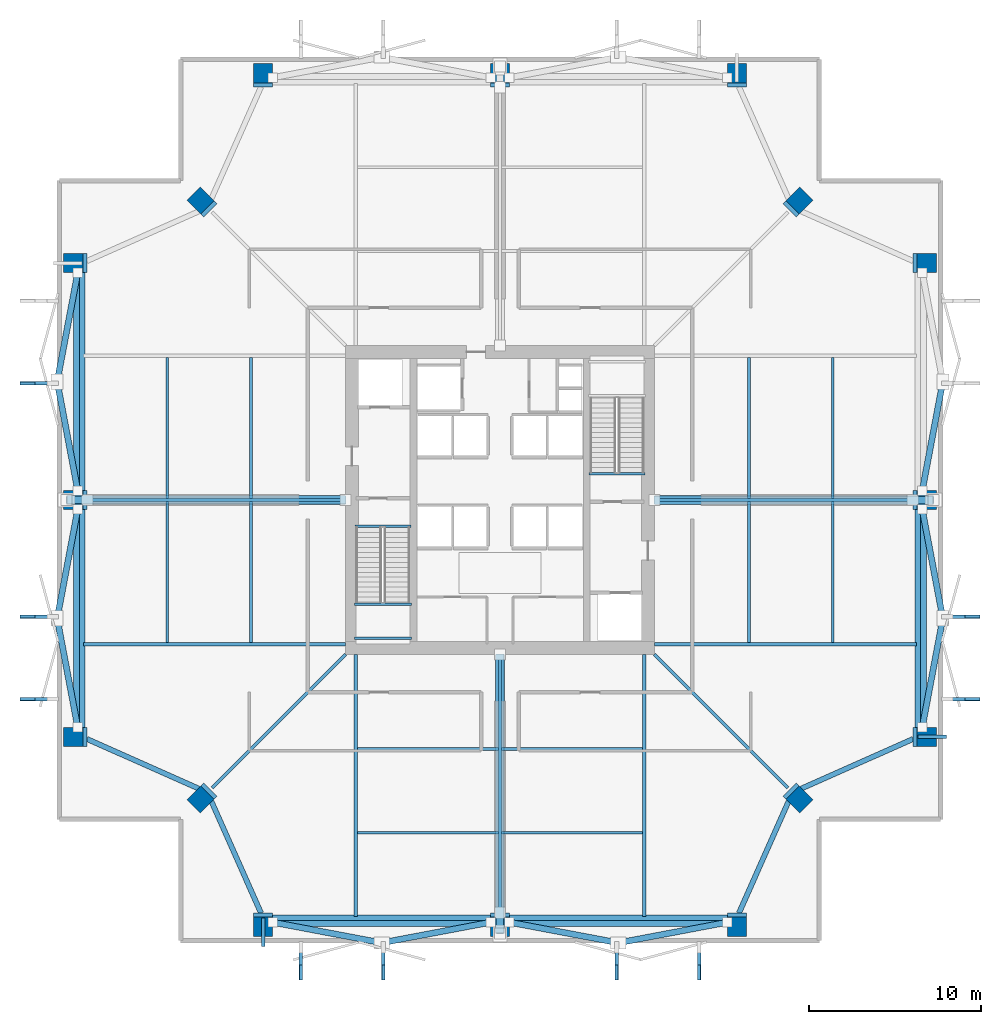
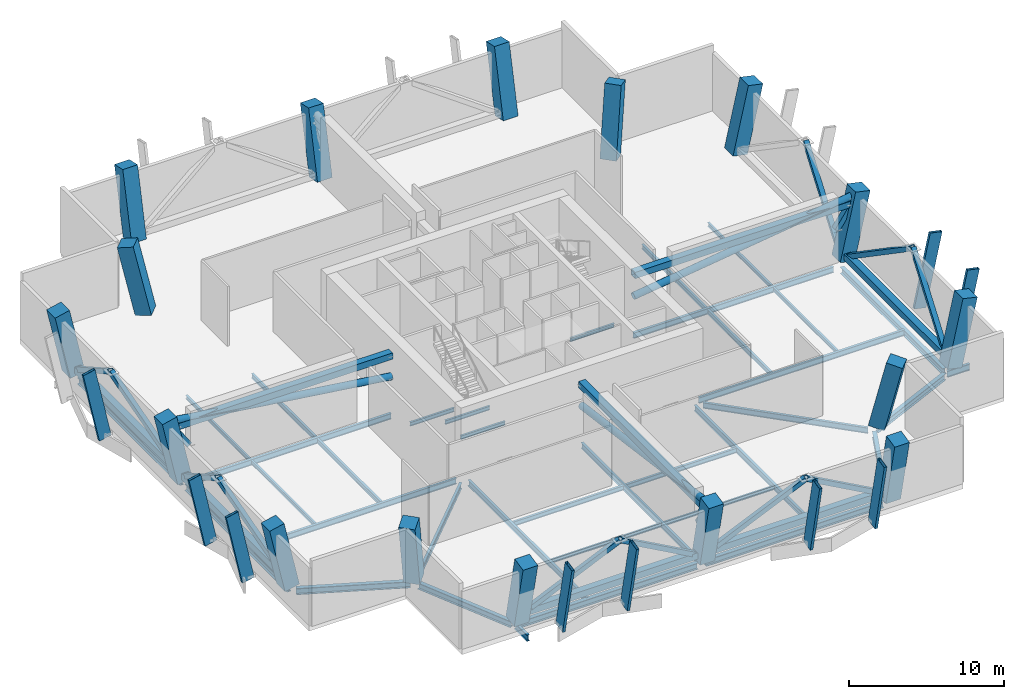
# One storey, part 1 of 6: 44 beams, 26 members, 16 columns.
"""IFC4 building model written with IfcOpenShell, lengths in metres."""

from ifc_helpers import new_model, si_unit, direction, frame, origin, origin_2d, place, context, subcontext, project, spatial, rectangle, hollow_rectangle, hollow_circle, i_section, extrude, material, material_profile, profile_set, type_object, element, save


model = new_model("IFC4")

# Units and contexts
model_context = context("Model", 3, precision=1e-05, world=origin(), true_north=direction((0.0, 1.0)))
body_context = subcontext(model_context, "Body", "Model", "MODEL_VIEW")
ifc_project = project(units=[si_unit("LENGTHUNIT", "METRE"), si_unit("AREAUNIT", "SQUARE_METRE"), si_unit("VOLUMEUNIT", "CUBIC_METRE"), si_unit("PLANEANGLEUNIT", "RADIAN"), si_unit("MASSUNIT", "GRAM", prefix="KILO")], contexts=[model_context])

# Site, building, storey
site_placement = place(None, origin())
site = spatial("IfcSite", under=ifc_project, at=site_placement, CompositionType="ELEMENT")
building_placement = place(site_placement, origin())
building = spatial("IfcBuilding", under=site, at=building_placement, Name="Belovzor Exchange Tower", CompositionType="ELEMENT")
storey_placement = place(building_placement, frame((0.0, 0.0, 194.550048828125)))
storey = spatial("IfcBuildingStorey", under=building, at=storey_placement, Name="L48", CompositionType="ELEMENT", Elevation=194.550048828125)

# Columns
ifc_material_1 = material(Name="Concrete C50/60", Category="concrete")
ifc_material_profile_1 = material_profile(ifc_material_1, rectangle(XDim=1.10009765625, YDim=1.10009765625, at=origin_2d()))
ifc_profile_set_1 = profile_set([ifc_material_profile_1], Name="Concrete C50/60")
column_type = type_object("IfcColumnType", Name="Reinforced Concrete Tower Column 1100x1100", PredefinedType="COLUMN", material=ifc_profile_set_1)
for number, where, z_axis, x_axis, name in (
    (1, (15.0, 4.198974609375, 0.00390625), (0.0, -0.216959896709, 0.976180517743), (1.0, 0.0, 0.0), "COL-T110 Reinforced Concrete Tower Column 1100x1100"),
    (2, (28.800048828125, 4.198974609375, 0.00390625), (0.0, -0.216959896709, 0.976180517743), (1.0, 0.0, 0.0), "COL-T110 Reinforced Concrete Tower Column 1100x1100"),
    (3, (42.60009765625, 4.198974609375, 0.00390625), (0.0, -0.216959896709, 0.976180517743), (1.0, 0.0, 0.0), "COL-T110 Reinforced Concrete Tower Column 1100x1100"),
    (4, (53.40087890625, 15.0, 0.00390625), (0.216959896709, 0.0, 0.976180517743), (0.0, 1.0, 0.0), "COL-T110 Reinforced Concrete Tower Column 1100x1100"),
    (5, (53.40087890625, 28.800048828125, 0.00390625), (0.216959896709, 0.0, 0.976180517743), (0.0, 1.0, 0.0), "COL-T110 Reinforced Concrete Tower Column 1100x1100"),
    (6, (53.40087890625, 42.60009765625, 0.00390625), (0.216959896709, 0.0, 0.976180517743), (0.0, 1.0, 0.0), "COL-T110 Reinforced Concrete Tower Column 1100x1100"),
    (7, (42.60009765625, 53.40087890625, 0.00390625), (0.0, 0.216959896709, 0.976180517743), (-1.0, 0.0, 0.0), "COL-T110 Reinforced Concrete Tower Column 1100x1100"),
    (8, (28.800048828125, 53.40087890625, 0.00390625), (0.0, 0.216959896709, 0.976180517743), (-1.0, 0.0, 0.0), "COL-T110 Reinforced Concrete Tower Column 1100x1100"),
    (9, (15.0, 53.40087890625, 0.00390625), (0.0, 0.216959896709, 0.976180517743), (-1.0, 0.0, 0.0), "COL-T110 Reinforced Concrete Tower Column 1100x1100"),
    (10, (4.198974609375, 42.60009765625, 0.00390625), (-0.216959896709, 0.0, 0.976180517743), (0.0, -1.0, 0.0), "COL-T110 Reinforced Concrete Tower Column 1100x1100"),
    (11, (4.198974609375, 28.800048828125, 0.00390625), (-0.216959896709, 0.0, 0.976180517743), (0.0, -1.0, 0.0), "COL-T110 Reinforced Concrete Tower Column 1100x1100"),
    (12, (4.198974609375, 15.0, 0.00390625), (-0.216959896709, 0.0, 0.976180517743), (0.0, -1.0, 0.0), "COL-T110 Reinforced Concrete Tower Column 1100x1100"),
):
    element("IfcColumn", number, at=place(storey_placement, frame(where, z_axis=z_axis, x_axis=x_axis)), inside=storey, type_object=column_type, Name=name, PredefinedType="COLUMN", context=body_context, shape_type="SweptSolid", body=[
        extrude(rectangle(XDim=1.10009765625, YDim=1.10009765625, at=origin_2d()), origin(), (0.0, 0.0, 1.0), 5.2685546875),
    ])
for number, where, z_axis, x_axis, name in (
    (13, (11.548095703125, 11.548095703125, 0.010986328125), (-0.162126392242, -0.162126392242, 0.973360193288), (0.707106781187, -0.707106781187, 0.0), "COL-T110 Reinforced Concrete Tower Column 1100x1100"),
    (14, (46.052001953125, 11.548095703125, 0.010986328125), (0.162126392242, -0.162126392242, 0.973360193288), (0.707106781187, 0.707106781187, 0.0), "COL-T110 Reinforced Concrete Tower Column 1100x1100"),
    (15, (46.052001953125, 46.052001953125, 0.010986328125), (0.162126392242, 0.162126392242, 0.973360193288), (-0.707106781187, 0.707106781187, 0.0), "COL-T110 Reinforced Concrete Tower Column 1100x1100"),
    (16, (11.548095703125, 46.052001953125, 0.010986328125), (-0.162126392242, 0.162126392242, 0.973360193288), (-0.707106781187, -0.707106781187, 0.0), "COL-T110 Reinforced Concrete Tower Column 1100x1100"),
):
    element("IfcColumn", number, at=place(storey_placement, frame(where, z_axis=z_axis, x_axis=x_axis)), inside=storey, type_object=column_type, Name=name, PredefinedType="COLUMN", context=body_context, shape_type="SweptSolid", body=[
        extrude(rectangle(XDim=1.10009765625, YDim=1.10009765625, at=origin_2d()), origin(), (0.0, 0.0, 1.0), 5.2734375),
    ])

# Members
ifc_material_2 = material(Name="Steel S460", Category="steel")
ifc_material_profile_2 = material_profile(ifc_material_2, hollow_rectangle(XDim=0.35009765625, YDim=0.35009765625, WallThickness=0.01611328125, at=origin_2d()))
ifc_profile_set_2 = profile_set([ifc_material_profile_2], Name="Steel S460")
member_type_1 = type_object("IfcMemberType", Name="Belt Truss Web Diagonal SHS 350x350x16", PredefinedType="BRACE", material=ifc_profile_set_2)
member_1_placement = place(storey_placement, frame((15.550048828125, 4.199951171875, 0.449951171875), z_axis=(0.829700188418, -0.156790973358, 0.535737051186), x_axis=(0.185686620599, 0.982609016308, 0.0)))
element("IfcMember", 17, at=member_1_placement, inside=storey, type_object=member_type_1, Name="BD-350 Belt Truss Web Diagonal SHS 350x350x16", PredefinedType="BRACE", context=body_context, shape_type="SweptSolid", body=[
    extrude(hollow_rectangle(XDim=0.35009765625, YDim=0.35009765625, WallThickness=0.01611328125, at=origin_2d()), origin(), (0.0, 0.0, 1.0), 7.653076171875),
])
member_2_placement = place(storey_placement, frame((21.89990234375, 3.0, 4.550048828125), z_axis=(0.829710128143, 0.156786823523, -0.535722871666), x_axis=(-0.185679727689, 0.982610318858, 0.0)))
element("IfcMember", 18, at=member_2_placement, inside=storey, type_object=member_type_1, Name="BD-350 Belt Truss Web Diagonal SHS 350x350x16", PredefinedType="BRACE", context=body_context, shape_type="SweptSolid", body=[
    extrude(hollow_rectangle(XDim=0.35009765625, YDim=0.35009765625, WallThickness=0.01611328125, at=origin_2d()), origin(), (0.0, 0.0, 1.0), 7.6533203125),
])
member_3_placement = place(storey_placement, frame((29.35009765625, 4.199951171875, 0.449951171875), z_axis=(0.829700188418, -0.156790973358, 0.535737051186), x_axis=(0.185686620599, 0.982609016308, 0.0)))
element("IfcMember", 19, at=member_3_placement, inside=storey, type_object=member_type_1, Name="BD-350 Belt Truss Web Diagonal SHS 350x350x16", PredefinedType="BRACE", context=body_context, shape_type="SweptSolid", body=[
    extrude(hollow_rectangle(XDim=0.35009765625, YDim=0.35009765625, WallThickness=0.01611328125, at=origin_2d()), origin(), (0.0, 0.0, 1.0), 7.653076171875),
])
for number, where, z_axis, x_axis, name in (
    (20, (35.699951171875, 3.0, 4.550048828125), (0.829710128143, 0.156786823523, -0.535722871666), (-0.185679727689, 0.982610318858, 0.0), "BD-350 Belt Truss Web Diagonal SHS 350x350x16"),
    (21, (53.39990234375, 15.550048828125, 0.449951171875), (0.156822089405, 0.829696038106, 0.535734371331), (-0.982602122518, 0.18572309717, 0.0), "BD-350 Belt Truss Web Diagonal SHS 350x350x16"),
    (22, (54.60009765625, 21.89990234375, 4.550048828125), (-0.156817938787, 0.829705978002, -0.535720192025), (-0.98260342557, -0.185716203003, 0.0), "BD-350 Belt Truss Web Diagonal SHS 350x350x16"),
    (23, (53.39990234375, 29.35009765625, 0.449951171875), (0.156822089405, 0.829696038106, 0.535734371331), (-0.982602122518, 0.18572309717, 0.0), "BD-350 Belt Truss Web Diagonal SHS 350x350x16"),
    (24, (4.199951171875, 42.050048828125, 0.449951171875), (-0.156786823523, -0.829710128143, 0.535722871666), (0.982610318858, -0.185679727689, 0.0), "BD-350 Belt Truss Web Diagonal SHS 350x350x16"),
):
    element("IfcMember", number, at=place(storey_placement, frame(where, z_axis=z_axis, x_axis=x_axis)), inside=storey, type_object=member_type_1, Name=name, PredefinedType="BRACE", context=body_context, shape_type="SweptSolid", body=[
        extrude(hollow_rectangle(XDim=0.35009765625, YDim=0.35009765625, WallThickness=0.01611328125, at=origin_2d()), origin(), (0.0, 0.0, 1.0), 7.6533203125),
    ])
member_4_placement = place(storey_placement, frame((3.0, 35.699951171875, 4.550048828125), z_axis=(0.156790973358, -0.829700188418, -0.535737051186), x_axis=(0.982609016308, 0.185686620599, 0.0)))
element("IfcMember", 25, at=member_4_placement, inside=storey, type_object=member_type_1, Name="BD-350 Belt Truss Web Diagonal SHS 350x350x16", PredefinedType="BRACE", context=body_context, shape_type="SweptSolid", body=[
    extrude(hollow_rectangle(XDim=0.35009765625, YDim=0.35009765625, WallThickness=0.01611328125, at=origin_2d()), origin(), (0.0, 0.0, 1.0), 7.653076171875),
])
member_5_placement = place(storey_placement, frame((4.199951171875, 28.25, 0.449951171875), z_axis=(-0.156786823523, -0.829710128143, 0.535722871666), x_axis=(0.982610318858, -0.185679727689, 0.0)))
element("IfcMember", 26, at=member_5_placement, inside=storey, type_object=member_type_1, Name="BD-350 Belt Truss Web Diagonal SHS 350x350x16", PredefinedType="BRACE", context=body_context, shape_type="SweptSolid", body=[
    extrude(hollow_rectangle(XDim=0.35009765625, YDim=0.35009765625, WallThickness=0.01611328125, at=origin_2d()), origin(), (0.0, 0.0, 1.0), 7.6533203125),
])
member_6_placement = place(storey_placement, frame((3.0, 21.89990234375, 4.550048828125), z_axis=(0.156790973358, -0.829700188418, -0.535737051186), x_axis=(0.982609016308, 0.185686620599, 0.0)))
element("IfcMember", 27, at=member_6_placement, inside=storey, type_object=member_type_1, Name="BD-350 Belt Truss Web Diagonal SHS 350x350x16", PredefinedType="BRACE", context=body_context, shape_type="SweptSolid", body=[
    extrude(hollow_rectangle(XDim=0.35009765625, YDim=0.35009765625, WallThickness=0.01611328125, at=origin_2d()), origin(), (0.0, 0.0, 1.0), 7.653076171875),
])

# Beams
ifc_material_3 = material(Name="Steel S460", Category="steel")
ifc_material_profile_3 = material_profile(ifc_material_3, hollow_rectangle(XDim=0.5, YDim=0.5, WallThickness=0.02490234375, at=origin_2d()))
ifc_profile_set_3 = profile_set([ifc_material_profile_3], Name="Steel S460")
beam_type_1 = type_object("IfcBeamType", Name="Perimeter Belt Truss Chord SHS 500x500x25", PredefinedType="BEAM", material=ifc_profile_set_3)
for number, where, z_axis, x_axis, name in (
    (28, (15.550048828125, 4.199951171875, 0.449951171875), (1.0, 0.0, 0.0), (0.0, 1.0, 0.0), "BT-500 Perimeter Belt Truss Chord SHS 500x500x25"),
    (29, (29.35009765625, 4.199951171875, 0.449951171875), (1.0, 0.0, 0.0), (0.0, 1.0, 0.0), "BT-500 Perimeter Belt Truss Chord SHS 500x500x25"),
    (30, (53.39990234375, 15.550048828125, 0.449951171875), (0.0, 1.0, 0.0), (-1.0, 0.0, 0.0), "BT-500 Perimeter Belt Truss Chord SHS 500x500x25"),
    (31, (4.199951171875, 42.050048828125, 0.449951171875), (0.0, -1.0, 0.0), (1.0, 0.0, 0.0), "BT-500 Perimeter Belt Truss Chord SHS 500x500x25"),
    (32, (4.199951171875, 28.25, 0.449951171875), (0.0, -1.0, 0.0), (1.0, 0.0, 0.0), "BT-500 Perimeter Belt Truss Chord SHS 500x500x25"),
):
    element("IfcBeam", number, at=place(storey_placement, frame(where, z_axis=z_axis, x_axis=x_axis)), inside=storey, type_object=beam_type_1, Name=name, PredefinedType="BEAM", context=body_context, shape_type="SweptSolid", body=[
        extrude(hollow_rectangle(XDim=0.5, YDim=0.5, WallThickness=0.02490234375, at=origin_2d()), origin(), (0.0, 0.0, 1.0), 12.699951171875),
    ])
ifc_material_4 = material(Name="Steel S355", Category="steel")
ifc_material_profile_4 = material_profile(ifc_material_4, i_section(OverallWidth=0.199951171875, OverallDepth=0.5, WebThickness=0.01025390625, FlangeThickness=0.01611328125, at=origin_2d()))
ifc_profile_set_4 = profile_set([ifc_material_profile_4], Name="Steel S355")
beam_type_2 = type_object("IfcBeamType", Name="Planted Balcony Cantilever Beam IPE 500", PredefinedType="BEAM", material=ifc_profile_set_4)
beam_1_placement = place(storey_placement, frame((15.0, 4.4599609375, -0.650146484375), z_axis=(0.0, -1.0, 0.0), x_axis=(1.0, 0.0, 0.0)))
element("IfcBeam", 33, at=beam_1_placement, inside=storey, type_object=beam_type_2, Name="BC-500 Planted Balcony Cantilever Beam IPE 500", PredefinedType="BEAM", context=body_context, shape_type="SweptSolid", body=[
    extrude(i_section(OverallWidth=0.199951171875, OverallDepth=0.5, WebThickness=0.01025390625, FlangeThickness=0.01611328125, at=origin_2d()), origin(), (0.0, 0.0, 1.0), 1.659912109375),
])
beam_2_placement = place(storey_placement, frame((53.139892578125, 15.0, -0.650146484375), z_axis=(1.0, 0.0, 0.0), x_axis=(0.0, 1.0, 0.0)))
element("IfcBeam", 34, at=beam_2_placement, inside=storey, type_object=beam_type_2, Name="BC-500 Planted Balcony Cantilever Beam IPE 500", PredefinedType="BEAM", context=body_context, shape_type="SweptSolid", body=[
    extrude(i_section(OverallWidth=0.199951171875, OverallDepth=0.5, WebThickness=0.01025390625, FlangeThickness=0.01611328125, at=origin_2d()), origin(), (0.0, 0.0, 1.0), 1.66015625),
])
ifc_material_5 = material(Name="Steel S355", Category="steel")
ifc_material_profile_5 = material_profile(ifc_material_5, i_section(OverallWidth=0.169921875, OverallDepth=0.360107421875, WebThickness=0.008056640625, FlangeThickness=0.0126953125, at=origin_2d()))
ifc_profile_set_5 = profile_set([ifc_material_profile_5], Name="Steel S355")
beam_type_3 = type_object("IfcBeamType", Name="Secondary Infill Floor Joist IPE 360", PredefinedType="BEAM", material=ifc_profile_set_5)
for number, where, z_axis, x_axis, name in (
    (35, (20.4951171875, 14.304931640625, -0.580078125), (1.0, 0.0, 0.0), (0.0, 1.0, 0.0), "FJ-360 Secondary Infill Floor Joist IPE 360"),
    (36, (28.89501953125, 14.304931640625, -0.580078125), (1.0, 0.0, 0.0), (0.0, 1.0, 0.0), "FJ-360 Secondary Infill Floor Joist IPE 360"),
    (37, (14.304931640625, 20.4951171875, -0.580078125), (0.0, 1.0, 0.0), (-1.0, 0.0, 0.0), "FJ-360 Secondary Infill Floor Joist IPE 360"),
    (38, (14.304931640625, 28.89501953125, -0.580078125), (0.0, 1.0, 0.0), (-1.0, 0.0, 0.0), "FJ-360 Secondary Infill Floor Joist IPE 360"),
    (39, (43.294921875, 20.4951171875, -0.580078125), (0.0, 1.0, 0.0), (-1.0, 0.0, 0.0), "FJ-360 Secondary Infill Floor Joist IPE 360"),
    (40, (43.294921875, 28.89501953125, -0.580078125), (0.0, 1.0, 0.0), (-1.0, 0.0, 0.0), "FJ-360 Secondary Infill Floor Joist IPE 360"),
):
    element("IfcBeam", number, at=place(storey_placement, frame(where, z_axis=z_axis, x_axis=x_axis)), inside=storey, type_object=beam_type_3, Name=name, PredefinedType="BEAM", context=body_context, shape_type="SweptSolid", body=[
        extrude(i_section(OverallWidth=0.169921875, OverallDepth=0.360107421875, WebThickness=0.008056640625, FlangeThickness=0.0126953125, at=origin_2d()), origin(), (0.0, 0.0, 1.0), 8.2099609375),
    ])
ifc_material_6 = material(Name="Steel S355", Category="steel")
ifc_material_profile_6 = material_profile(ifc_material_6, i_section(OverallWidth=0.14990234375, OverallDepth=0.300048828125, WebThickness=0.007080078125, FlangeThickness=0.0107421875, at=origin_2d()))
ifc_profile_set_6 = profile_set([ifc_material_profile_6], Name="Steel S355")
beam_type_4 = type_object("IfcBeamType", Name="Secondary Trim Floor Joist IPE 300", PredefinedType="BEAM", material=ifc_profile_set_6)
for number, where, z_axis, x_axis, name in (
    (41, (20.320068359375, 22.72998046875, 2.349853515625), (1.0, 0.0, 0.0), (0.0, 1.0, 0.0), "FJ-300 Secondary Trim Floor Joist IPE 300"),
    (42, (20.320068359375, 20.75, 2.349853515625), (1.0, 0.0, 0.0), (0.0, 1.0, 0.0), "FJ-300 Secondary Trim Floor Joist IPE 300"),
):
    element("IfcBeam", number, at=place(storey_placement, frame(where, z_axis=z_axis, x_axis=x_axis)), inside=storey, type_object=beam_type_4, Name=name, PredefinedType="BEAM", context=body_context, shape_type="SweptSolid", body=[
        extrude(i_section(OverallWidth=0.14990234375, OverallDepth=0.300048828125, WebThickness=0.007080078125, FlangeThickness=0.0107421875, at=origin_2d()), origin(), (0.0, 0.0, 1.0), 3.309814453125),
    ])
for number, where, z_axis, x_axis, name in (
    (43, (20.340087890625, 27.280029296875, -0.550048828125), (1.0, 0.0, 0.0), (0.0, 1.0, 0.0), "FJ-300 Secondary Trim Floor Joist IPE 300"),
    (44, (37.260009765625, 30.320068359375, -0.550048828125), (-1.0, 0.0, 0.0), (0.0, -1.0, 0.0), "FJ-300 Secondary Trim Floor Joist IPE 300"),
):
    element("IfcBeam", number, at=place(storey_placement, frame(where, z_axis=z_axis, x_axis=x_axis)), inside=storey, type_object=beam_type_4, Name=name, PredefinedType="BEAM", context=body_context, shape_type="SweptSolid", body=[
        extrude(i_section(OverallWidth=0.14990234375, OverallDepth=0.300048828125, WebThickness=0.007080078125, FlangeThickness=0.0107421875, at=origin_2d()), origin(), (0.0, 0.0, 1.0), 3.27001953125),
    ])
for number, where, z_axis, x_axis, name in (
    (45, (20.4951171875, 9.419921875, -0.550048828125), (1.0, 0.0, 0.0), (0.0, 1.0, 0.0), "FJ-300 Secondary Trim Floor Joist IPE 300"),
    (46, (28.89501953125, 9.419921875, -0.550048828125), (1.0, 0.0, 0.0), (0.0, 1.0, 0.0), "FJ-300 Secondary Trim Floor Joist IPE 300"),
    (47, (9.419921875, 20.4951171875, -0.550048828125), (0.0, 1.0, 0.0), (-1.0, 0.0, 0.0), "FJ-300 Secondary Trim Floor Joist IPE 300"),
    (48, (9.419921875, 28.89501953125, -0.550048828125), (0.0, 1.0, 0.0), (-1.0, 0.0, 0.0), "FJ-300 Secondary Trim Floor Joist IPE 300"),
    (49, (48.179931640625, 20.4951171875, -0.550048828125), (0.0, 1.0, 0.0), (-1.0, 0.0, 0.0), "FJ-300 Secondary Trim Floor Joist IPE 300"),
    (50, (48.179931640625, 28.89501953125, -0.550048828125), (0.0, 1.0, 0.0), (-1.0, 0.0, 0.0), "FJ-300 Secondary Trim Floor Joist IPE 300"),
):
    element("IfcBeam", number, at=place(storey_placement, frame(where, z_axis=z_axis, x_axis=x_axis)), inside=storey, type_object=beam_type_4, Name=name, PredefinedType="BEAM", context=body_context, shape_type="SweptSolid", body=[
        extrude(i_section(OverallWidth=0.14990234375, OverallDepth=0.300048828125, WebThickness=0.007080078125, FlangeThickness=0.0107421875, at=origin_2d()), origin(), (0.0, 0.0, 1.0), 8.2099609375),
    ])

# Members
ifc_material_7 = material(Name="Extruded Architectural Terracotta on Steel S355 Carrier", Category="masonry")
ifc_material_profile_7 = material_profile(ifc_material_7, hollow_rectangle(XDim=0.199951171875, YDim=0.89990234375, WallThickness=0.011962890625, at=origin_2d()))
ifc_profile_set_7 = profile_set([ifc_material_profile_7], Name="Extruded Architectural Terracotta on Steel S355 Carrier")
member_type_2 = type_object("IfcMemberType", Name="Sweeping Terracotta Baguette Fin Assembly 950", PredefinedType="USERDEFINED", material=ifc_profile_set_7)
for number, where, z_axis, x_axis, name in (
    (51, (17.199951171875, 2.47509765625, -0.400146484375), (0.0, -0.211363876103, 0.97740744415), (1.0, 0.0, 0.0), "FIN-TC095 Terracotta Facade Fin L48 S1"),
    (52, (2.47509765625, 17.199951171875, -0.400146484375), (-0.211363876103, 0.0, 0.97740744415), (0.0, -1.0, 0.0), "FIN-TC095 Terracotta Facade Fin L48 W1"),
    (53, (55.125, 17.199951171875, -0.400146484375), (0.211322801242, 0.0, 0.977416325664), (0.0, 1.0, 0.0), "FIN-TC095 Terracotta Facade Fin L48 E1"),
    (54, (22.0, 2.47509765625, -0.400146484375), (0.0, -0.211363876103, 0.97740744415), (1.0, 0.0, 0.0), "FIN-TC095 Terracotta Facade Fin L48 S2"),
    (55, (2.47509765625, 22.0, -0.400146484375), (-0.211363876103, 0.0, 0.97740744415), (0.0, -1.0, 0.0), "FIN-TC095 Terracotta Facade Fin L48 W2"),
    (56, (55.125, 22.0, -0.400146484375), (0.211322801242, 0.0, 0.977416325664), (0.0, 1.0, 0.0), "FIN-TC095 Terracotta Facade Fin L48 E2"),
    (57, (35.60009765625, 2.47509765625, -0.400146484375), (0.0, -0.211363876103, 0.97740744415), (1.0, 0.0, 0.0), "FIN-TC095 Terracotta Facade Fin L48 S3"),
    (58, (2.47509765625, 35.60009765625, -0.400146484375), (-0.211363876103, 0.0, 0.97740744415), (0.0, -1.0, 0.0), "FIN-TC095 Terracotta Facade Fin L48 W3"),
    (59, (40.39990234375, 2.47509765625, -0.400146484375), (0.0, -0.211363876103, 0.97740744415), (1.0, 0.0, 0.0), "FIN-TC095 Terracotta Facade Fin L48 S4"),
):
    element("IfcMember", number, at=place(storey_placement, frame(where, z_axis=z_axis, x_axis=x_axis)), inside=storey, type_object=member_type_2, Name=name, ObjectType="FIN", PredefinedType="USERDEFINED", context=body_context, shape_type="SweptSolid", body=[
        extrude(hollow_rectangle(XDim=0.199951171875, YDim=0.89990234375, WallThickness=0.011962890625, at=origin_2d()), origin(), (0.0, 0.0, 1.0), 5.67822265625),
    ])
ifc_material_8 = material(Name="Steel S460", Category="steel")
ifc_material_profile_8 = material_profile(ifc_material_8, hollow_rectangle(XDim=0.39990234375, YDim=0.39990234375, WallThickness=0.02001953125, at=origin_2d()))
ifc_profile_set_8 = profile_set([ifc_material_profile_8], Name="Steel S460")
member_type_3 = type_object("IfcMemberType", Name="Waist Flare Cantilever Truss Diagonal SHS 400x400x20", PredefinedType="BRACE", material=ifc_profile_set_8)
for number, where, z_axis, x_axis, name in (
    (60, (28.800048828125, 4.75, 2.449951171875), (0.0, -0.5655127034, 0.824739584531), (1.0, 0.0, 0.0), "TD-400 Waist Flare Cantilever Truss Diagonal SHS 400x400x20"),
    (61, (4.75, 28.800048828125, 2.449951171875), (-0.5655127034, 0.0, 0.824739584531), (0.0, -1.0, 0.0), "TD-400 Waist Flare Cantilever Truss Diagonal SHS 400x400x20"),
    (62, (52.85009765625, 28.800048828125, 2.449951171875), (0.5655127034, 0.0, 0.824739584531), (0.0, 1.0, 0.0), "TD-400 Waist Flare Cantilever Truss Diagonal SHS 400x400x20"),
):
    element("IfcMember", number, at=place(storey_placement, frame(where, z_axis=z_axis, x_axis=x_axis)), inside=storey, type_object=member_type_3, Name=name, PredefinedType="BRACE", context=body_context, shape_type="SweptSolid", body=[
        extrude(hollow_rectangle(XDim=0.39990234375, YDim=0.39990234375, WallThickness=0.02001953125, at=origin_2d()), origin(), (0.0, 0.0, 1.0), 2.121826171875),
    ])

# Beams
ifc_material_9 = material(Name="Steel S460", Category="steel")
ifc_material_profile_9 = material_profile(ifc_material_9, hollow_rectangle(XDim=0.5, YDim=0.5, WallThickness=0.02490234375, at=origin_2d()))
ifc_profile_set_9 = profile_set([ifc_material_profile_9], Name="Steel S460")
beam_type_5 = type_object("IfcBeamType", Name="Waist Flare Transfer Truss Chord SHS 500x500x25", PredefinedType="BEAM", material=ifc_profile_set_9)
for number, where, z_axis, x_axis, name in (
    (63, (28.800048828125, 19.800048828125, 4.199951171875), (0.0, -1.0, 0.0), (1.0, 0.0, 0.0), "TC-600 Waist Flare Transfer Truss Chord SHS 500x500x25"),
    (64, (19.800048828125, 28.800048828125, 4.199951171875), (-1.0, 0.0, 0.0), (0.0, -1.0, 0.0), "TC-600 Waist Flare Transfer Truss Chord SHS 500x500x25"),
    (65, (37.800048828125, 28.800048828125, 4.199951171875), (1.0, 0.0, 0.0), (0.0, 1.0, 0.0), "TC-600 Waist Flare Transfer Truss Chord SHS 500x500x25"),
):
    element("IfcBeam", number, at=place(storey_placement, frame(where, z_axis=z_axis, x_axis=x_axis)), inside=storey, type_object=beam_type_5, Name=name, PredefinedType="BEAM", context=body_context, shape_type="SweptSolid", body=[
        extrude(hollow_rectangle(XDim=0.5, YDim=0.5, WallThickness=0.02490234375, at=origin_2d()), origin(), (0.0, 0.0, 1.0), 16.25),
    ])

# Members
ifc_material_10 = material(Name="Steel S460", Category="steel")
ifc_material_profile_10 = material_profile(ifc_material_10, hollow_circle(Radius=0.25390625, WallThickness=0.02490234375, at=origin_2d()))
ifc_profile_set_10 = profile_set([ifc_material_profile_10], Name="Steel S460")
member_type_4 = type_object("IfcMemberType", Name="Waist Outrigger Tubular Strut CHS 508x25", PredefinedType="STRUT", material=ifc_profile_set_10)
for number, where, z_axis, x_axis, name in (
    (66, (28.800048828125, 19.800048828125, 2.449951171875), (0.0, -0.990959986926, 0.134157759047), (1.0, 0.0, 0.0), "OS-457 Waist Outrigger Tubular Strut CHS 508x25"),
    (67, (19.800048828125, 28.800048828125, 2.449951171875), (-0.990959986926, 0.0, 0.134157759047), (0.0, -1.0, 0.0), "OS-457 Waist Outrigger Tubular Strut CHS 508x25"),
    (68, (37.800048828125, 28.800048828125, 2.449951171875), (0.990959986926, 0.0, 0.134157759047), (0.0, 1.0, 0.0), "OS-457 Waist Outrigger Tubular Strut CHS 508x25"),
):
    element("IfcMember", number, at=place(storey_placement, frame(where, z_axis=z_axis, x_axis=x_axis)), inside=storey, type_object=member_type_4, Name=name, PredefinedType="STRUT", context=body_context, shape_type="SweptSolid", body=[
        extrude(hollow_circle(Radius=0.25390625, WallThickness=0.02490234375, at=origin_2d()), origin(), (0.0, 0.0, 1.0), 16.398193359375),
    ])

# Beams
ifc_material_11 = material(Name="Steel S355", Category="steel")
ifc_material_profile_11 = material_profile(ifc_material_11, i_section(OverallWidth=0.18994140625, OverallDepth=0.449951171875, WebThickness=0.009521484375, FlangeThickness=0.0146484375, at=origin_2d()))
ifc_profile_set_11 = profile_set([ifc_material_profile_11], Name="Steel S355")
beam_type_6 = type_object("IfcBeamType", Name="Zone 2-4 Radial Composite Floor Beam IPE 450", PredefinedType="BEAM", material=ifc_profile_set_11)
beam_3_placement = place(storey_placement, frame((20.39990234375, 19.800048828125, -0.625), z_axis=(0.0, -1.0, 0.0), x_axis=(1.0, 0.0, 0.0)))
element("IfcBeam", 69, at=beam_3_placement, inside=storey, type_object=beam_type_6, Name="FB-450 Zone 2-4 Radial Composite Floor Beam IPE 450", PredefinedType="BEAM", context=body_context, shape_type="SweptSolid", body=[
    extrude(i_section(OverallWidth=0.18994140625, OverallDepth=0.449951171875, WebThickness=0.009521484375, FlangeThickness=0.0146484375, at=origin_2d()), origin(), (0.0, 0.0, 1.0), 15.26513671875),
])
beam_4_placement = place(storey_placement, frame((28.800048828125, 19.800048828125, -0.625), z_axis=(0.0, -1.0, 0.0), x_axis=(1.0, 0.0, 0.0)))
element("IfcBeam", 70, at=beam_4_placement, inside=storey, type_object=beam_type_6, Name="FB-450 Zone 2-4 Radial Composite Floor Beam IPE 450", PredefinedType="BEAM", context=body_context, shape_type="SweptSolid", body=[
    extrude(i_section(OverallWidth=0.18994140625, OverallDepth=0.449951171875, WebThickness=0.009521484375, FlangeThickness=0.0146484375, at=origin_2d()), origin(), (0.0, 0.0, 1.0), 14.865966796875),
])
for number, where, z_axis, x_axis, name in (
    (71, (37.199951171875, 19.800048828125, -0.625), (0.0, -1.0, 0.0), (1.0, 0.0, 0.0), "FB-450 Zone 2-4 Radial Composite Floor Beam IPE 450"),
    (72, (19.800048828125, 20.39990234375, -0.625), (-1.0, 0.0, 0.0), (0.0, -1.0, 0.0), "FB-450 Zone 2-4 Radial Composite Floor Beam IPE 450"),
):
    element("IfcBeam", number, at=place(storey_placement, frame(where, z_axis=z_axis, x_axis=x_axis)), inside=storey, type_object=beam_type_6, Name=name, PredefinedType="BEAM", context=body_context, shape_type="SweptSolid", body=[
        extrude(i_section(OverallWidth=0.18994140625, OverallDepth=0.449951171875, WebThickness=0.009521484375, FlangeThickness=0.0146484375, at=origin_2d()), origin(), (0.0, 0.0, 1.0), 15.26513671875),
    ])
beam_5_placement = place(storey_placement, frame((19.800048828125, 28.800048828125, -0.625), z_axis=(-1.0, 0.0, 0.0), x_axis=(0.0, -1.0, 0.0)))
element("IfcBeam", 73, at=beam_5_placement, inside=storey, type_object=beam_type_6, Name="FB-450 Zone 2-4 Radial Composite Floor Beam IPE 450", PredefinedType="BEAM", context=body_context, shape_type="SweptSolid", body=[
    extrude(i_section(OverallWidth=0.18994140625, OverallDepth=0.449951171875, WebThickness=0.009521484375, FlangeThickness=0.0146484375, at=origin_2d()), origin(), (0.0, 0.0, 1.0), 14.865966796875),
])
beam_6_placement = place(storey_placement, frame((37.800048828125, 20.39990234375, -0.625), z_axis=(1.0, 0.0, 0.0), x_axis=(0.0, 1.0, 0.0)))
element("IfcBeam", 74, at=beam_6_placement, inside=storey, type_object=beam_type_6, Name="FB-450 Zone 2-4 Radial Composite Floor Beam IPE 450", PredefinedType="BEAM", context=body_context, shape_type="SweptSolid", body=[
    extrude(i_section(OverallWidth=0.18994140625, OverallDepth=0.449951171875, WebThickness=0.009521484375, FlangeThickness=0.0146484375, at=origin_2d()), origin(), (0.0, 0.0, 1.0), 15.264892578125),
])
beam_7_placement = place(storey_placement, frame((37.800048828125, 28.800048828125, -0.625), z_axis=(1.0, 0.0, 0.0), x_axis=(0.0, 1.0, 0.0)))
element("IfcBeam", 75, at=beam_7_placement, inside=storey, type_object=beam_type_6, Name="FB-450 Zone 2-4 Radial Composite Floor Beam IPE 450", PredefinedType="BEAM", context=body_context, shape_type="SweptSolid", body=[
    extrude(i_section(OverallWidth=0.18994140625, OverallDepth=0.449951171875, WebThickness=0.009521484375, FlangeThickness=0.0146484375, at=origin_2d()), origin(), (0.0, 0.0, 1.0), 14.865966796875),
])
beam_8_placement = place(storey_placement, frame((19.800048828125, 19.800048828125, -0.625), z_axis=(-0.707106781187, -0.707106781187, 0.0), x_axis=(0.707106781187, -0.707106781187, 0.0)))
element("IfcBeam", 76, at=beam_8_placement, inside=storey, type_object=beam_type_6, Name="FB-450 Zone 2-4 Radial Composite Floor Beam IPE 450", PredefinedType="BEAM", context=body_context, shape_type="SweptSolid", body=[
    extrude(i_section(OverallWidth=0.18994140625, OverallDepth=0.449951171875, WebThickness=0.009521484375, FlangeThickness=0.0146484375, at=origin_2d()), origin(), (0.0, 0.0, 1.0), 10.984375),
])
beam_9_placement = place(storey_placement, frame((37.800048828125, 19.800048828125, -0.625), z_axis=(0.707095667786, -0.707117894412, 0.0), x_axis=(0.707117894412, 0.707095667786, 0.0)))
element("IfcBeam", 77, at=beam_9_placement, inside=storey, type_object=beam_type_6, Name="FB-450 Zone 2-4 Radial Composite Floor Beam IPE 450", PredefinedType="BEAM", context=body_context, shape_type="SweptSolid", body=[
    extrude(i_section(OverallWidth=0.18994140625, OverallDepth=0.449951171875, WebThickness=0.009521484375, FlangeThickness=0.0146484375, at=origin_2d()), origin(), (0.0, 0.0, 1.0), 10.984130859375),
])
ifc_material_12 = material(Name="Steel S355", Category="steel")
ifc_material_profile_12 = material_profile(ifc_material_12, i_section(OverallWidth=0.300048828125, OverallDepth=0.5, WebThickness=0.014404296875, FlangeThickness=0.028076171875, at=origin_2d()))
ifc_profile_set_12 = profile_set([ifc_material_profile_12], Name="Steel S355")
beam_type_7 = type_object("IfcBeamType", Name="Zone 3 Waist Primary Girder HEB 500", PredefinedType="BEAM", material=ifc_profile_set_12)
beam_10_placement = place(storey_placement, frame((11.881103515625, 11.48193359375, -0.650146484375), z_axis=(0.40587759111, -0.913927448452, 0.0), x_axis=(0.913927448452, 0.40587759111, 0.0)))
element("IfcBeam", 78, at=beam_10_placement, inside=storey, type_object=beam_type_7, Name="FG-Z3 Zone 3 Waist Primary Girder HEB 500", PredefinedType="BEAM", context=body_context, shape_type="SweptSolid", body=[
    extrude(i_section(OverallWidth=0.300048828125, OverallDepth=0.5, WebThickness=0.014404296875, FlangeThickness=0.028076171875, at=origin_2d()), origin(), (0.0, 0.0, 1.0), 7.381103515625),
])
for number, where, z_axis, x_axis, name in (
    (79, (15.302978515625, 4.4599609375, -0.650146484375), (1.0, 0.0, 0.0), (0.0, 1.0, 0.0), "FG-Z3 Zone 3 Waist Primary Girder HEB 500"),
    (80, (29.10205078125, 4.4599609375, -0.650146484375), (1.0, 0.0, 0.0), (0.0, 1.0, 0.0), "FG-Z3 Zone 3 Waist Primary Girder HEB 500"),
):
    element("IfcBeam", number, at=place(storey_placement, frame(where, z_axis=z_axis, x_axis=x_axis)), inside=storey, type_object=beam_type_7, Name=name, PredefinedType="BEAM", context=body_context, shape_type="SweptSolid", body=[
        extrude(i_section(OverallWidth=0.300048828125, OverallDepth=0.5, WebThickness=0.014404296875, FlangeThickness=0.028076171875, at=origin_2d()), origin(), (0.0, 0.0, 1.0), 13.195068359375),
    ])
for number, where, z_axis, x_axis, name in (
    (81, (42.722900390625, 4.736083984375, -0.650146484375), (0.405905217861, 0.913915178839, 0.0), (-0.913915178839, 0.405905217861, 0.0), "FG-Z3 Zone 3 Waist Primary Girder HEB 500"),
    (82, (46.117919921875, 11.881103515625, -0.650146484375), (0.913932897061, 0.405865322084, 0.0), (-0.405865322084, 0.913932897061, 0.0), "FG-Z3 Zone 3 Waist Primary Girder HEB 500"),
):
    element("IfcBeam", number, at=place(storey_placement, frame(where, z_axis=z_axis, x_axis=x_axis)), inside=storey, type_object=beam_type_7, Name=name, PredefinedType="BEAM", context=body_context, shape_type="SweptSolid", body=[
        extrude(i_section(OverallWidth=0.300048828125, OverallDepth=0.5, WebThickness=0.014404296875, FlangeThickness=0.028076171875, at=origin_2d()), origin(), (0.0, 0.0, 1.0), 7.38134765625),
    ])
for number, where, z_axis, x_axis, name in (
    (83, (53.139892578125, 15.302978515625, -0.650146484375), (0.0, 1.0, 0.0), (-1.0, 0.0, 0.0), "FG-Z3 Zone 3 Waist Primary Girder HEB 500"),
    (84, (4.4599609375, 42.297119140625, -0.650146484375), (0.0, -1.0, 0.0), (1.0, 0.0, 0.0), "FG-Z3 Zone 3 Waist Primary Girder HEB 500"),
    (85, (4.4599609375, 28.498046875, -0.650146484375), (0.0, -1.0, 0.0), (1.0, 0.0, 0.0), "FG-Z3 Zone 3 Waist Primary Girder HEB 500"),
):
    element("IfcBeam", number, at=place(storey_placement, frame(where, z_axis=z_axis, x_axis=x_axis)), inside=storey, type_object=beam_type_7, Name=name, PredefinedType="BEAM", context=body_context, shape_type="SweptSolid", body=[
        extrude(i_section(OverallWidth=0.300048828125, OverallDepth=0.5, WebThickness=0.014404296875, FlangeThickness=0.028076171875, at=origin_2d()), origin(), (0.0, 0.0, 1.0), 13.195068359375),
    ])
beam_11_placement = place(storey_placement, frame((4.736083984375, 14.876953125, -0.650146484375), z_axis=(0.913927448452, -0.40587759111, 0.0), x_axis=(0.40587759111, 0.913927448452, 0.0)))
element("IfcBeam", 86, at=beam_11_placement, inside=storey, type_object=beam_type_7, Name="FG-Z3 Zone 3 Waist Primary Girder HEB 500", PredefinedType="BEAM", context=body_context, shape_type="SweptSolid", body=[
    extrude(i_section(OverallWidth=0.300048828125, OverallDepth=0.5, WebThickness=0.014404296875, FlangeThickness=0.028076171875, at=origin_2d()), origin(), (0.0, 0.0, 1.0), 7.381103515625),
])

save(model, "model.ifc")
